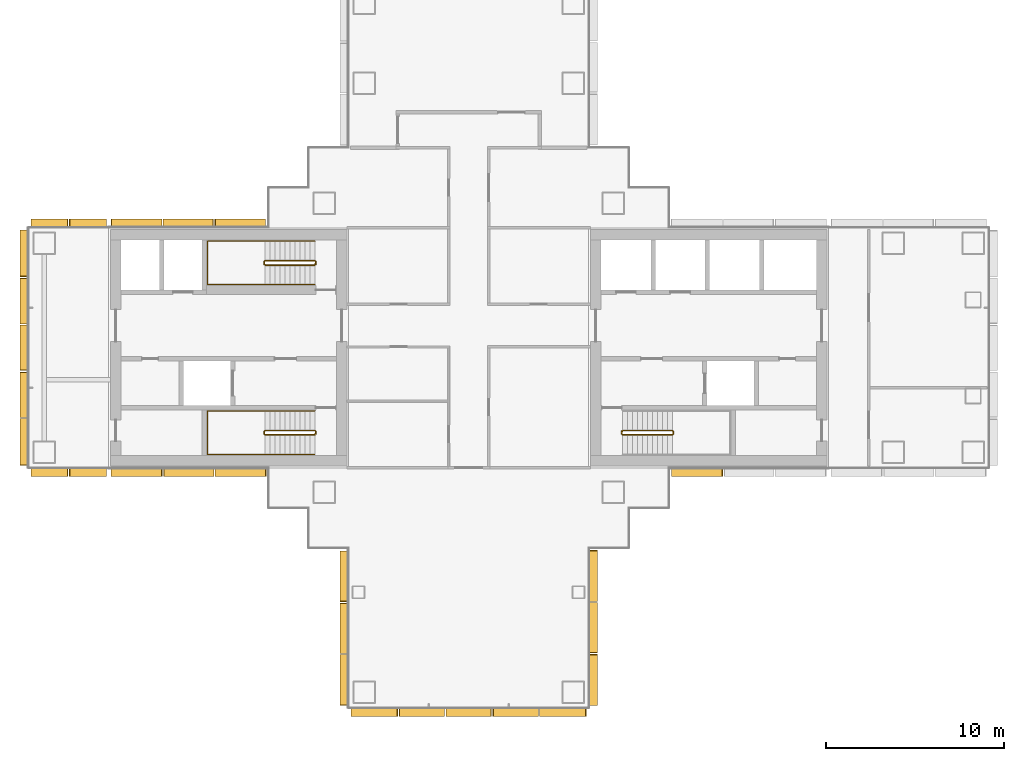
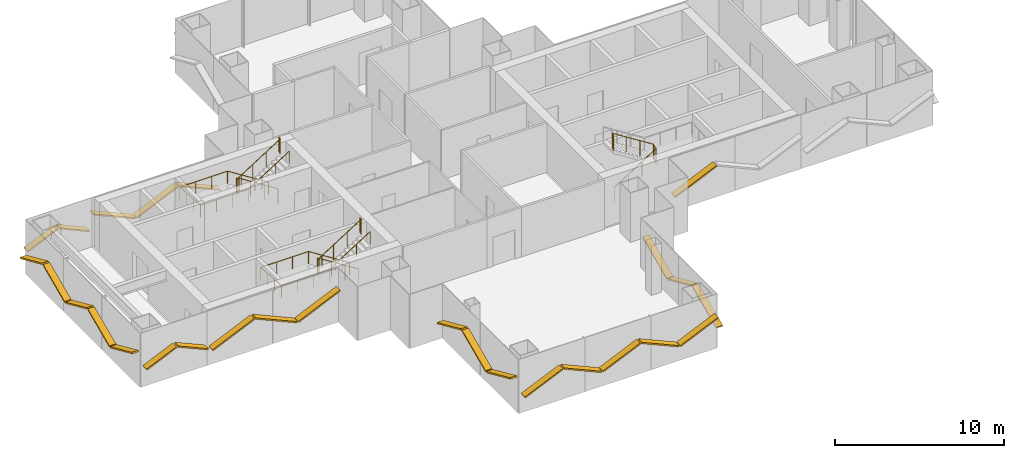
# One storey, part 16 of 19: 27 shading devices, 5 railings.
"""IFC4 building model written with IfcOpenShell, lengths in metres."""

from ifc_helpers import new_model, si_unit, direction, frame, origin, origin_2d, place, context, subcontext, project, spatial, rectangle, circle, extrude, material, material_profile, profile_set, type_object, element, save


model = new_model("IFC4")

# Units and contexts
model_context = context("Model", 3, precision=1e-05, world=origin(), true_north=direction((0.0, 1.0)))
body_context = subcontext(model_context, "Body", "Model", "MODEL_VIEW")
ifc_project = project(units=[si_unit("LENGTHUNIT", "METRE"), si_unit("AREAUNIT", "SQUARE_METRE"), si_unit("VOLUMEUNIT", "CUBIC_METRE"), si_unit("PLANEANGLEUNIT", "RADIAN"), si_unit("MASSUNIT", "GRAM", prefix="KILO")], contexts=[model_context])

# Site, building, storey
site_placement = place(None, origin())
site = spatial("IfcSite", under=ifc_project, at=site_placement, CompositionType="ELEMENT")
building_placement = place(site_placement, origin())
building = spatial("IfcBuilding", under=site, at=building_placement, Name="Shamsa Quay Exchange Towers", CompositionType="ELEMENT")
storey_placement = place(building_placement, frame((0.0, 0.0, 93.60009765625)))
storey = spatial("IfcBuildingStorey", under=building, at=storey_placement, Name="L21", CompositionType="ELEMENT", Elevation=93.60009765625)

# Shading devices
ifc_material_1 = material(Name="Aluminium EN AW-6063 T6, black anodised", Category="aluminium")
ifc_material_profile = material_profile(ifc_material_1, rectangle(XDim=0.449951171875, YDim=0.10009765625, at=origin_2d()), Name="FIN450x100")
ifc_profile_set = profile_set([ifc_material_profile], Name="Aluminium EN AW-6063 T6, black anodised")
shading_device_type = type_object("IfcShadingDeviceType", Name="FIN 450x100 BLACK ALUMINIUM", PredefinedType="USERDEFINED", material=ifc_profile_set)
shading_device_1_placement = place(storey_placement, frame((-40.764892578125, -11.43798828125, 0.96826171875), z_axis=(0.0, -0.913558535862, 0.406707267643), x_axis=(1.0, 0.0, 0.0)))
element("IfcShadingDevice", 1, at=shading_device_1_placement, inside=storey, type_object=shading_device_type, Name="FIN T1 chevron rib", ObjectType="FIN", PredefinedType="USERDEFINED", context=body_context, shape_type="SweptSolid", body=[
    extrude(rectangle(XDim=0.449951171875, YDim=0.10009765625, at=origin_2d()), origin(), (0.0, 0.0, 1.0), 3.10595703125),
])
shading_device_2_placement = place(storey_placement, frame((-40.764892578125, -14.375244140625, 2.220458984375), z_axis=(0.0, -0.913550687431, -0.406724896576), x_axis=(1.0, 0.0, 0.0)))
element("IfcShadingDevice", 2, at=shading_device_2_placement, inside=storey, type_object=shading_device_type, Name="FIN T1 chevron rib", ObjectType="FIN", PredefinedType="USERDEFINED", context=body_context, shape_type="SweptSolid", body=[
    extrude(rectangle(XDim=0.449951171875, YDim=0.10009765625, at=origin_2d()), origin(), (0.0, 0.0, 1.0), 3.051025390625),
])
shading_device_3_placement = place(storey_placement, frame((-40.764892578125, -17.2626953125, 0.96826171875), z_axis=(0.0, -0.913558535862, 0.406707267643), x_axis=(1.0, 0.0, 0.0)))
element("IfcShadingDevice", 3, at=shading_device_3_placement, inside=storey, type_object=shading_device_type, Name="FIN T1 chevron rib", ObjectType="FIN", PredefinedType="USERDEFINED", context=body_context, shape_type="SweptSolid", body=[
    extrude(rectangle(XDim=0.449951171875, YDim=0.10009765625, at=origin_2d()), origin(), (0.0, 0.0, 1.0), 3.10595703125),
])
shading_device_4_placement = place(storey_placement, frame((-40.35009765625, -20.514892578125, 1.0234375), z_axis=(0.91355925163, 0.0, 0.406705659859), x_axis=(0.0, 1.0, 0.0)))
element("IfcShadingDevice", 4, at=shading_device_4_placement, inside=storey, type_object=shading_device_type, Name="FIN T1 chevron rib", ObjectType="FIN", PredefinedType="USERDEFINED", context=body_context, shape_type="SweptSolid", body=[
    extrude(rectangle(XDim=0.449951171875, YDim=0.10009765625, at=origin_2d()), origin(), (0.0, 0.0, 1.0), 2.835205078125),
])
shading_device_5_placement = place(storey_placement, frame((-37.659912109375, -20.514892578125, 2.165283203125), z_axis=(0.913536125794, 0.0, -0.406757602103), x_axis=(0.0, 1.0, 0.0)))
element("IfcShadingDevice", 5, at=shading_device_5_placement, inside=storey, type_object=shading_device_type, Name="FIN T1 chevron rib", ObjectType="FIN", PredefinedType="USERDEFINED", context=body_context, shape_type="SweptSolid", body=[
    extrude(rectangle(XDim=0.449951171875, YDim=0.10009765625, at=origin_2d()), origin(), (0.0, 0.0, 1.0), 2.7802734375),
])
shading_device_6_placement = place(storey_placement, frame((-35.02001953125, -20.514892578125, 1.034423828125), z_axis=(0.913550653139, 0.0, 0.4067249736), x_axis=(0.0, 1.0, 0.0)))
element("IfcShadingDevice", 6, at=shading_device_6_placement, inside=storey, type_object=shading_device_type, Name="FIN T1 chevron rib", ObjectType="FIN", PredefinedType="USERDEFINED", context=body_context, shape_type="SweptSolid", body=[
    extrude(rectangle(XDim=0.449951171875, YDim=0.10009765625, at=origin_2d()), origin(), (0.0, 0.0, 1.0), 2.780517578125),
])
shading_device_7_placement = place(storey_placement, frame((-32.3798828125, -20.514892578125, 2.165283203125), z_axis=(0.913536125794, 0.0, -0.406757602103), x_axis=(0.0, 1.0, 0.0)))
element("IfcShadingDevice", 7, at=shading_device_7_placement, inside=storey, type_object=shading_device_type, Name="FIN T1 chevron rib", ObjectType="FIN", PredefinedType="USERDEFINED", context=body_context, shape_type="SweptSolid", body=[
    extrude(rectangle(XDim=0.449951171875, YDim=0.10009765625, at=origin_2d()), origin(), (0.0, 0.0, 1.0), 2.7802734375),
])
shading_device_8_placement = place(storey_placement, frame((-29.739990234375, -20.514892578125, 1.0234375), z_axis=(0.91355925163, 0.0, 0.406705659859), x_axis=(0.0, 1.0, 0.0)))
element("IfcShadingDevice", 8, at=shading_device_8_placement, inside=storey, type_object=shading_device_type, Name="FIN T1 chevron rib", ObjectType="FIN", PredefinedType="USERDEFINED", context=body_context, shape_type="SweptSolid", body=[
    extrude(rectangle(XDim=0.449951171875, YDim=0.10009765625, at=origin_2d()), origin(), (0.0, 0.0, 1.0), 2.835205078125),
])
shading_device_9_placement = place(storey_placement, frame((-26.735107421875, -20.10009765625, 0.96533203125), z_axis=(0.0, 0.913533816972, 0.406762787444), x_axis=(-1.0, 0.0, 0.0)))
element("IfcShadingDevice", 9, at=shading_device_9_placement, inside=storey, type_object=shading_device_type, Name="FIN T1 chevron rib", ObjectType="FIN", PredefinedType="USERDEFINED", context=body_context, shape_type="SweptSolid", body=[
    extrude(rectangle(XDim=0.449951171875, YDim=0.10009765625, at=origin_2d()), origin(), (0.0, 0.0, 1.0), 3.119873046875),
])
shading_device_10_placement = place(storey_placement, frame((-26.735107421875, -17.14990234375, 2.22314453125), z_axis=(0.0, 0.913541981537, -0.406744450447), x_axis=(-1.0, 0.0, 0.0)))
element("IfcShadingDevice", 10, at=shading_device_10_placement, inside=storey, type_object=shading_device_type, Name="FIN T1 chevron rib", ObjectType="FIN", PredefinedType="USERDEFINED", context=body_context, shape_type="SweptSolid", body=[
    extrude(rectangle(XDim=0.449951171875, YDim=0.10009765625, at=origin_2d()), origin(), (0.0, 0.0, 1.0), 3.064697265625),
])
shading_device_11_placement = place(storey_placement, frame((-26.735107421875, -14.25, 0.96533203125), z_axis=(0.0, 0.913533816972, 0.406762787444), x_axis=(-1.0, 0.0, 0.0)))
element("IfcShadingDevice", 11, at=shading_device_11_placement, inside=storey, type_object=shading_device_type, Name="FIN T1 chevron rib", ObjectType="FIN", PredefinedType="USERDEFINED", context=body_context, shape_type="SweptSolid", body=[
    extrude(rectangle(XDim=0.449951171875, YDim=0.10009765625, at=origin_2d()), origin(), (0.0, 0.0, 1.0), 3.119873046875),
])
for number, where, z_axis, x_axis, name in (
    (12, (-22.31201171875, -7.01904296875, 0.96826171875), (0.913558535862, 0.0, 0.406707267643), (0.0, 1.0, 0.0), "FIN T1 chevron rib"),
    (13, (-45.18798828125, 7.01904296875, 0.96826171875), (-0.913558535862, 0.0, 0.406707267643), (0.0, -1.0, 0.0), "FIN T1 chevron rib"),
):
    element("IfcShadingDevice", number, at=place(storey_placement, frame(where, z_axis=z_axis, x_axis=x_axis)), inside=storey, type_object=shading_device_type, Name=name, ObjectType="FIN", PredefinedType="USERDEFINED", context=body_context, shape_type="SweptSolid", body=[
        extrude(rectangle(XDim=0.449951171875, YDim=0.10009765625, at=origin_2d()), origin(), (0.0, 0.0, 1.0), 3.10595703125),
    ])
shading_device_12_placement = place(storey_placement, frame((-48.125244140625, 7.01904296875, 2.220458984375), z_axis=(-0.913550687431, 0.0, -0.406724896576), x_axis=(0.0, -1.0, 0.0)))
element("IfcShadingDevice", 14, at=shading_device_12_placement, inside=storey, type_object=shading_device_type, Name="FIN T1 chevron rib", ObjectType="FIN", PredefinedType="USERDEFINED", context=body_context, shape_type="SweptSolid", body=[
    extrude(rectangle(XDim=0.449951171875, YDim=0.10009765625, at=origin_2d()), origin(), (0.0, 0.0, 1.0), 3.051025390625),
])
shading_device_13_placement = place(storey_placement, frame((-51.0126953125, 7.01904296875, 0.96826171875), z_axis=(-0.913558535862, 0.0, 0.406707267643), x_axis=(0.0, -1.0, 0.0)))
element("IfcShadingDevice", 15, at=shading_device_13_placement, inside=storey, type_object=shading_device_type, Name="FIN T1 chevron rib", ObjectType="FIN", PredefinedType="USERDEFINED", context=body_context, shape_type="SweptSolid", body=[
    extrude(rectangle(XDim=0.449951171875, YDim=0.10009765625, at=origin_2d()), origin(), (0.0, 0.0, 1.0), 3.10595703125),
])
for number, where, z_axis, x_axis, name in (
    (16, (-54.14990234375, 7.014892578125, 1.1435546875), (-0.913569116241, 0.0, 0.406683500835), (0.0, -1.0, 0.0), "FIN T1 chevron rib"),
    (17, (-56.300048828125, 7.014892578125, 2.05615234375), (-0.913569116241, 0.0, -0.406683500835), (0.0, -1.0, 0.0), "FIN T1 chevron rib"),
):
    element("IfcShadingDevice", number, at=place(storey_placement, frame(where, z_axis=z_axis, x_axis=x_axis)), inside=storey, type_object=shading_device_type, Name=name, ObjectType="FIN", PredefinedType="USERDEFINED", context=body_context, shape_type="SweptSolid", body=[
        extrude(rectangle(XDim=0.449951171875, YDim=0.10009765625, at=origin_2d()), origin(), (0.0, 0.0, 1.0), 2.243896484375),
    ])
shading_device_14_placement = place(storey_placement, frame((-58.764892578125, 6.60009765625, 1.0234375), z_axis=(0.0, -0.91355925163, 0.406705659859), x_axis=(1.0, 0.0, 0.0)))
element("IfcShadingDevice", 18, at=shading_device_14_placement, inside=storey, type_object=shading_device_type, Name="FIN T1 chevron rib", ObjectType="FIN", PredefinedType="USERDEFINED", context=body_context, shape_type="SweptSolid", body=[
    extrude(rectangle(XDim=0.449951171875, YDim=0.10009765625, at=origin_2d()), origin(), (0.0, 0.0, 1.0), 2.835205078125),
])
shading_device_15_placement = place(storey_placement, frame((-58.764892578125, 3.909912109375, 2.165283203125), z_axis=(0.0, -0.913536125794, -0.406757602103), x_axis=(1.0, 0.0, 0.0)))
element("IfcShadingDevice", 19, at=shading_device_15_placement, inside=storey, type_object=shading_device_type, Name="FIN T1 chevron rib", ObjectType="FIN", PredefinedType="USERDEFINED", context=body_context, shape_type="SweptSolid", body=[
    extrude(rectangle(XDim=0.449951171875, YDim=0.10009765625, at=origin_2d()), origin(), (0.0, 0.0, 1.0), 2.7802734375),
])
shading_device_16_placement = place(storey_placement, frame((-58.764892578125, 1.27001953125, 1.034423828125), z_axis=(0.0, -0.913550653139, 0.4067249736), x_axis=(1.0, 0.0, 0.0)))
element("IfcShadingDevice", 20, at=shading_device_16_placement, inside=storey, type_object=shading_device_type, Name="FIN T1 chevron rib", ObjectType="FIN", PredefinedType="USERDEFINED", context=body_context, shape_type="SweptSolid", body=[
    extrude(rectangle(XDim=0.449951171875, YDim=0.10009765625, at=origin_2d()), origin(), (0.0, 0.0, 1.0), 2.780517578125),
])
shading_device_17_placement = place(storey_placement, frame((-58.764892578125, -1.3701171875, 2.165283203125), z_axis=(0.0, -0.913536125794, -0.406757602103), x_axis=(1.0, 0.0, 0.0)))
element("IfcShadingDevice", 21, at=shading_device_17_placement, inside=storey, type_object=shading_device_type, Name="FIN T1 chevron rib", ObjectType="FIN", PredefinedType="USERDEFINED", context=body_context, shape_type="SweptSolid", body=[
    extrude(rectangle(XDim=0.449951171875, YDim=0.10009765625, at=origin_2d()), origin(), (0.0, 0.0, 1.0), 2.7802734375),
])
shading_device_18_placement = place(storey_placement, frame((-58.764892578125, -4.010009765625, 1.0234375), z_axis=(0.0, -0.91355925163, 0.406705659859), x_axis=(1.0, 0.0, 0.0)))
element("IfcShadingDevice", 22, at=shading_device_18_placement, inside=storey, type_object=shading_device_type, Name="FIN T1 chevron rib", ObjectType="FIN", PredefinedType="USERDEFINED", context=body_context, shape_type="SweptSolid", body=[
    extrude(rectangle(XDim=0.449951171875, YDim=0.10009765625, at=origin_2d()), origin(), (0.0, 0.0, 1.0), 2.835205078125),
])
for number, where, z_axis, x_axis, name in (
    (23, (-58.35009765625, -7.014892578125, 1.1435546875), (0.913569116241, 0.0, 0.406683500835), (0.0, 1.0, 0.0), "FIN T1 chevron rib"),
    (24, (-56.199951171875, -7.014892578125, 2.05615234375), (0.913569116241, 0.0, -0.406683500835), (0.0, 1.0, 0.0), "FIN T1 chevron rib"),
):
    element("IfcShadingDevice", number, at=place(storey_placement, frame(where, z_axis=z_axis, x_axis=x_axis)), inside=storey, type_object=shading_device_type, Name=name, ObjectType="FIN", PredefinedType="USERDEFINED", context=body_context, shape_type="SweptSolid", body=[
        extrude(rectangle(XDim=0.449951171875, YDim=0.10009765625, at=origin_2d()), origin(), (0.0, 0.0, 1.0), 2.243896484375),
    ])
shading_device_19_placement = place(storey_placement, frame((-53.85009765625, -7.01904296875, 0.96533203125), z_axis=(0.913533816972, 0.0, 0.406762787444), x_axis=(0.0, 1.0, 0.0)))
element("IfcShadingDevice", 25, at=shading_device_19_placement, inside=storey, type_object=shading_device_type, Name="FIN T1 chevron rib", ObjectType="FIN", PredefinedType="USERDEFINED", context=body_context, shape_type="SweptSolid", body=[
    extrude(rectangle(XDim=0.449951171875, YDim=0.10009765625, at=origin_2d()), origin(), (0.0, 0.0, 1.0), 3.119873046875),
])
shading_device_20_placement = place(storey_placement, frame((-50.89990234375, -7.01904296875, 2.22314453125), z_axis=(0.913541981537, 0.0, -0.406744450447), x_axis=(0.0, 1.0, 0.0)))
element("IfcShadingDevice", 26, at=shading_device_20_placement, inside=storey, type_object=shading_device_type, Name="FIN T1 chevron rib", ObjectType="FIN", PredefinedType="USERDEFINED", context=body_context, shape_type="SweptSolid", body=[
    extrude(rectangle(XDim=0.449951171875, YDim=0.10009765625, at=origin_2d()), origin(), (0.0, 0.0, 1.0), 3.064697265625),
])
shading_device_21_placement = place(storey_placement, frame((-48.0, -7.01904296875, 0.96533203125), z_axis=(0.913533816972, 0.0, 0.406762787444), x_axis=(0.0, 1.0, 0.0)))
element("IfcShadingDevice", 27, at=shading_device_21_placement, inside=storey, type_object=shading_device_type, Name="FIN T1 chevron rib", ObjectType="FIN", PredefinedType="USERDEFINED", context=body_context, shape_type="SweptSolid", body=[
    extrude(rectangle(XDim=0.449951171875, YDim=0.10009765625, at=origin_2d()), origin(), (0.0, 0.0, 1.0), 3.119873046875),
])

# Railings
ifc_material_2 = material(Name="Stainless steel", Category="steel")
railing_type_1 = type_object("IfcRailingType", Name="STAIR GUARD 1100", PredefinedType="GUARDRAIL", material=ifc_material_2)
railing_1_placement = place(storey_placement, frame((-25.10009765625, -4.89990234375, 0.17724609375)))
element("IfcRailing", 28, at=railing_1_placement, inside=storey, type_object=railing_type_1, Name="L21 ST1 stair guard 1", PredefinedType="GUARDRAIL", context=body_context, shape_type="SweptSolid", body=[
    extrude(circle(Radius=0.02392578125, at=origin_2d()), frame((0.0, 0.0, 1.076171875), z_axis=(0.844908973607, 0.0, 0.534910110503), x_axis=(0.0, 1.0, 0.0)), (0.0, 0.0, 1.0), 3.31396484375),
    extrude(circle(Radius=0.02392578125, at=origin_2d()), frame((2.800048828125, 0.0, 2.8486328125), z_axis=(0.708833529934, 0.705375805398, 0.0), x_axis=(-0.705375805398, 0.708833529934, 0.0)), (0.0, 0.0, 1.0), 0.070556640625),
    extrude(circle(Radius=0.02392578125, at=origin_2d()), frame((2.85009765625, 0.0498046875, 2.8486328125), z_axis=(0.0, 1.0, 0.0), x_axis=(-1.0, 0.0, 0.0)), (0.0, 0.0, 1.0), 0.150146484375),
    extrude(circle(Radius=0.02392578125, at=origin_2d()), frame((2.85009765625, 0.199951171875, 2.8486328125), z_axis=(-0.262233686654, 0.262233686654, 0.928691007369), x_axis=(-0.707106781187, -0.707106781187, 0.0)), (0.0, 0.0, 1.0), 0.19091796875),
    extrude(circle(Radius=0.02392578125, at=origin_2d()), frame((2.800048828125, 0.25, 3.02587890625), z_axis=(-0.844908973607, 0.0, 0.534910110503), x_axis=(0.0, -1.0, 0.0)), (0.0, 0.0, 1.0), 3.31396484375),
    extrude(circle(Radius=0.02392578125, at=origin_2d()), frame((0.0, 0.25, 4.798828125), z_axis=(-0.24142163986, -0.970420317083, 0.0), x_axis=(0.970420317083, -0.24142163986, 0.0)), (0.0, 0.0, 1.0), 0.206298828125),
    extrude(circle(Radius=0.02392578125, at=origin_2d()), frame((-0.0498046875, 0.0498046875, 4.798828125), z_axis=(0.0, 1.0, 0.0), x_axis=(-1.0, 0.0, 0.0)), (0.0, 0.0, 1.0), 0.150146484375),
    extrude(circle(Radius=0.02099609375, at=origin_2d()), origin(), (0.0, 0.0, 1.0), 1.052001953125),
    extrude(circle(Radius=0.02099609375, at=origin_2d()), frame((0.933349609375, 0.0, 0.5908203125)), (0.0, 0.0, 1.0), 1.052001953125),
    extrude(circle(Radius=0.02099609375, at=origin_2d()), frame((1.86669921875, 0.0, 1.181884765625)), (0.0, 0.0, 1.0), 1.052001953125),
    extrude(circle(Radius=0.02099609375, at=origin_2d()), frame((2.800048828125, 0.0, 1.772705078125)), (0.0, 0.0, 1.0), 1.052001953125),
    extrude(circle(Radius=0.02099609375, at=origin_2d()), frame((2.85009765625, 0.0498046875, 1.772705078125)), (0.0, 0.0, 1.0), 1.052001953125),
    extrude(circle(Radius=0.02099609375, at=origin_2d()), frame((2.85009765625, 0.199951171875, 1.772705078125)), (0.0, 0.0, 1.0), 1.052001953125),
    extrude(circle(Radius=0.02099609375, at=origin_2d()), frame((2.800048828125, 0.25, 1.949951171875)), (0.0, 0.0, 1.0), 1.052001953125),
    extrude(circle(Radius=0.02099609375, at=origin_2d()), frame((1.86669921875, 0.25, 2.540771484375)), (0.0, 0.0, 1.0), 1.052001953125),
    extrude(circle(Radius=0.02099609375, at=origin_2d()), frame((0.933349609375, 0.25, 3.1318359375)), (0.0, 0.0, 1.0), 1.052001953125),
    extrude(circle(Radius=0.02099609375, at=origin_2d()), frame((0.0, 0.25, 3.72265625)), (0.0, 0.0, 1.0), 1.052001953125),
    extrude(circle(Radius=0.02099609375, at=origin_2d()), frame((-0.0498046875, 0.0498046875, 3.72265625)), (0.0, 0.0, 1.0), 1.052001953125),
    extrude(circle(Radius=0.02099609375, at=origin_2d()), frame((-0.0498046875, 0.199951171875, 3.72265625)), (0.0, 0.0, 1.0), 1.052001953125),
])
railing_2_placement = place(storey_placement, frame((-42.39990234375, -4.64990234375, 0.17724609375)))
element("IfcRailing", 29, at=railing_2_placement, inside=storey, type_object=railing_type_1, Name="L21 ST2 stair guard 1", PredefinedType="GUARDRAIL", context=body_context, shape_type="SweptSolid", body=[
    extrude(circle(Radius=0.02392578125, at=origin_2d()), frame((0.0, 0.0, 1.076171875), z_axis=(-0.844908973607, 0.0, 0.534910110503), x_axis=(0.0, -1.0, 0.0)), (0.0, 0.0, 1.0), 3.31396484375),
    extrude(circle(Radius=0.02392578125, at=origin_2d()), frame((-2.800048828125, 0.0, 2.8486328125), z_axis=(-0.707106781187, -0.707106781187, 0.0), x_axis=(0.707106781187, -0.707106781187, 0.0)), (0.0, 0.0, 1.0), 0.07080078125),
    extrude(circle(Radius=0.02392578125, at=origin_2d()), frame((-2.85009765625, -0.050048828125, 2.8486328125), z_axis=(0.0, -1.0, 0.0), x_axis=(1.0, 0.0, 0.0)), (0.0, 0.0, 1.0), 0.150146484375),
    extrude(circle(Radius=0.02392578125, at=origin_2d()), frame((-2.85009765625, -0.2001953125, 2.8486328125), z_axis=(0.262321481514, -0.261041864531, 0.929001929653), x_axis=(0.705375805398, 0.708833529934, 0.0)), (0.0, 0.0, 1.0), 0.190673828125),
    extrude(circle(Radius=0.02392578125, at=origin_2d()), frame((-2.800048828125, -0.25, 3.02587890625), z_axis=(0.844908973607, 0.0, 0.534910110503), x_axis=(0.0, 1.0, 0.0)), (0.0, 0.0, 1.0), 3.31396484375),
    extrude(circle(Radius=0.02392578125, at=origin_2d()), frame((0.0, -0.25, 4.798828125), z_axis=(0.241699205484, 0.970351222016, 0.0), x_axis=(-0.970351222016, 0.241699205484, 0.0)), (0.0, 0.0, 1.0), 0.2060546875),
    extrude(circle(Radius=0.02392578125, at=origin_2d()), frame((0.0498046875, -0.050048828125, 4.798828125), z_axis=(0.0, -1.0, 0.0), x_axis=(1.0, 0.0, 0.0)), (0.0, 0.0, 1.0), 0.150146484375),
    extrude(circle(Radius=0.02099609375, at=origin_2d()), origin(), (0.0, 0.0, 1.0), 1.052001953125),
    extrude(circle(Radius=0.02099609375, at=origin_2d()), frame((-0.933349609375, 0.0, 0.5908203125)), (0.0, 0.0, 1.0), 1.052001953125),
    extrude(circle(Radius=0.02099609375, at=origin_2d()), frame((-1.86669921875, 0.0, 1.181884765625)), (0.0, 0.0, 1.0), 1.052001953125),
    extrude(circle(Radius=0.02099609375, at=origin_2d()), frame((-2.800048828125, 0.0, 1.772705078125)), (0.0, 0.0, 1.0), 1.052001953125),
    extrude(circle(Radius=0.02099609375, at=origin_2d()), frame((-2.85009765625, -0.050048828125, 1.772705078125)), (0.0, 0.0, 1.0), 1.052001953125),
    extrude(circle(Radius=0.02099609375, at=origin_2d()), frame((-2.85009765625, -0.2001953125, 1.772705078125)), (0.0, 0.0, 1.0), 1.052001953125),
    extrude(circle(Radius=0.02099609375, at=origin_2d()), frame((-2.800048828125, -0.25, 1.949951171875)), (0.0, 0.0, 1.0), 1.052001953125),
    extrude(circle(Radius=0.02099609375, at=origin_2d()), frame((-1.86669921875, -0.25, 2.540771484375)), (0.0, 0.0, 1.0), 1.052001953125),
    extrude(circle(Radius=0.02099609375, at=origin_2d()), frame((-0.933349609375, -0.25, 3.1318359375)), (0.0, 0.0, 1.0), 1.052001953125),
    extrude(circle(Radius=0.02099609375, at=origin_2d()), frame((0.0, -0.25, 3.72265625)), (0.0, 0.0, 1.0), 1.052001953125),
    extrude(circle(Radius=0.02099609375, at=origin_2d()), frame((0.0498046875, -0.050048828125, 3.72265625)), (0.0, 0.0, 1.0), 1.052001953125),
    extrude(circle(Radius=0.02099609375, at=origin_2d()), frame((0.0498046875, -0.2001953125, 3.72265625)), (0.0, 0.0, 1.0), 1.052001953125),
])
railing_3_placement = place(storey_placement, frame((-42.39990234375, 4.89990234375, 0.17724609375)))
element("IfcRailing", 30, at=railing_3_placement, inside=storey, type_object=railing_type_1, Name="L21 ST3 stair guard 1", PredefinedType="GUARDRAIL", context=body_context, shape_type="SweptSolid", body=[
    extrude(circle(Radius=0.02392578125, at=origin_2d()), frame((0.0, 0.0, 1.076171875), z_axis=(-0.844908973607, 0.0, 0.534910110503), x_axis=(0.0, -1.0, 0.0)), (0.0, 0.0, 1.0), 3.31396484375),
    extrude(circle(Radius=0.02392578125, at=origin_2d()), frame((-2.800048828125, 0.0, 2.8486328125), z_axis=(-0.708833529934, -0.705375805398, 0.0), x_axis=(0.705375805398, -0.708833529934, 0.0)), (0.0, 0.0, 1.0), 0.070556640625),
    extrude(circle(Radius=0.02392578125, at=origin_2d()), frame((-2.85009765625, -0.0498046875, 2.8486328125), z_axis=(0.0, -1.0, 0.0), x_axis=(1.0, 0.0, 0.0)), (0.0, 0.0, 1.0), 0.150146484375),
    extrude(circle(Radius=0.02392578125, at=origin_2d()), frame((-2.85009765625, -0.199951171875, 2.8486328125), z_axis=(0.262233686654, -0.262233686654, 0.928691007369), x_axis=(0.707106781187, 0.707106781187, 0.0)), (0.0, 0.0, 1.0), 0.19091796875),
    extrude(circle(Radius=0.02392578125, at=origin_2d()), frame((-2.800048828125, -0.25, 3.02587890625), z_axis=(0.844908973607, 0.0, 0.534910110503), x_axis=(0.0, 1.0, 0.0)), (0.0, 0.0, 1.0), 3.31396484375),
    extrude(circle(Radius=0.02392578125, at=origin_2d()), frame((0.0, -0.25, 4.798828125), z_axis=(0.24142163986, 0.970420317083, 0.0), x_axis=(-0.970420317083, 0.24142163986, 0.0)), (0.0, 0.0, 1.0), 0.206298828125),
    extrude(circle(Radius=0.02392578125, at=origin_2d()), frame((0.0498046875, -0.0498046875, 4.798828125), z_axis=(0.0, -1.0, 0.0), x_axis=(1.0, 0.0, 0.0)), (0.0, 0.0, 1.0), 0.150146484375),
    extrude(circle(Radius=0.02099609375, at=origin_2d()), origin(), (0.0, 0.0, 1.0), 1.052001953125),
    extrude(circle(Radius=0.02099609375, at=origin_2d()), frame((-0.933349609375, 0.0, 0.5908203125)), (0.0, 0.0, 1.0), 1.052001953125),
    extrude(circle(Radius=0.02099609375, at=origin_2d()), frame((-1.86669921875, 0.0, 1.181884765625)), (0.0, 0.0, 1.0), 1.052001953125),
    extrude(circle(Radius=0.02099609375, at=origin_2d()), frame((-2.800048828125, 0.0, 1.772705078125)), (0.0, 0.0, 1.0), 1.052001953125),
    extrude(circle(Radius=0.02099609375, at=origin_2d()), frame((-2.85009765625, -0.0498046875, 1.772705078125)), (0.0, 0.0, 1.0), 1.052001953125),
    extrude(circle(Radius=0.02099609375, at=origin_2d()), frame((-2.85009765625, -0.199951171875, 1.772705078125)), (0.0, 0.0, 1.0), 1.052001953125),
    extrude(circle(Radius=0.02099609375, at=origin_2d()), frame((-2.800048828125, -0.25, 1.949951171875)), (0.0, 0.0, 1.0), 1.052001953125),
    extrude(circle(Radius=0.02099609375, at=origin_2d()), frame((-1.86669921875, -0.25, 2.540771484375)), (0.0, 0.0, 1.0), 1.052001953125),
    extrude(circle(Radius=0.02099609375, at=origin_2d()), frame((-0.933349609375, -0.25, 3.1318359375)), (0.0, 0.0, 1.0), 1.052001953125),
    extrude(circle(Radius=0.02099609375, at=origin_2d()), frame((0.0, -0.25, 3.72265625)), (0.0, 0.0, 1.0), 1.052001953125),
    extrude(circle(Radius=0.02099609375, at=origin_2d()), frame((0.0498046875, -0.0498046875, 3.72265625)), (0.0, 0.0, 1.0), 1.052001953125),
    extrude(circle(Radius=0.02099609375, at=origin_2d()), frame((0.0498046875, -0.199951171875, 3.72265625)), (0.0, 0.0, 1.0), 1.052001953125),
])
railing_type_2 = type_object("IfcRailingType", Name="STAIR HANDRAIL 900", PredefinedType="HANDRAIL", material=ifc_material_2)
railing_4_placement = place(storey_placement, frame((-42.39990234375, -3.550048828125, 0.17724609375)))
element("IfcRailing", 31, at=railing_4_placement, inside=storey, type_object=railing_type_2, Name="L21 ST2 stair handrail 1", PredefinedType="HANDRAIL", context=body_context, shape_type="SweptSolid", body=[
    extrude(circle(Radius=0.02392578125, at=origin_2d()), frame((0.0, 0.0, 0.8759765625), z_axis=(-0.844908973607, 0.0, 0.534910110503), x_axis=(0.0, -1.0, 0.0)), (0.0, 0.0, 1.0), 3.31396484375),
    extrude(circle(Radius=0.02392578125, at=origin_2d()), frame((-2.800048828125, 0.0, 2.6484375), z_axis=(-1.0, 0.0, 0.0), x_axis=(0.0, -1.0, 0.0)), (0.0, 0.0, 1.0), 3.25),
    extrude(circle(Radius=0.02392578125, at=origin_2d()), frame((-6.050048828125, 0.0, 2.6484375), z_axis=(0.0, -0.997393199914, 0.07215819264), x_axis=(1.0, 0.0, 0.0)), (0.0, 0.0, 1.0), 2.456298828125),
    extrude(circle(Radius=0.02392578125, at=origin_2d()), frame((-6.050048828125, -2.449951171875, 2.82568359375), z_axis=(1.0, 0.0, 0.0), x_axis=(0.0, 1.0, 0.0)), (0.0, 0.0, 1.0), 3.25),
    extrude(circle(Radius=0.02392578125, at=origin_2d()), frame((-2.800048828125, -2.449951171875, 2.82568359375), z_axis=(0.844908973607, 0.0, 0.534910110503), x_axis=(0.0, 1.0, 0.0)), (0.0, 0.0, 1.0), 3.31396484375),
    extrude(circle(Radius=0.02099609375, at=origin_2d()), origin(), (0.0, 0.0, 1.0), 0.851806640625),
    extrude(circle(Radius=0.02099609375, at=origin_2d()), frame((-0.933349609375, 0.0, 0.5908203125)), (0.0, 0.0, 1.0), 0.851806640625),
    extrude(circle(Radius=0.02099609375, at=origin_2d()), frame((-1.86669921875, 0.0, 1.181884765625)), (0.0, 0.0, 1.0), 0.851806640625),
    extrude(circle(Radius=0.02099609375, at=origin_2d()), frame((-2.800048828125, 0.0, 1.772705078125)), (0.0, 0.0, 1.0), 0.851806640625),
    extrude(circle(Radius=0.02099609375, at=origin_2d()), frame((-3.88330078125, 0.0, 1.772705078125)), (0.0, 0.0, 1.0), 0.851806640625),
    extrude(circle(Radius=0.02099609375, at=origin_2d()), frame((-4.966796875, 0.0, 1.772705078125)), (0.0, 0.0, 1.0), 0.851806640625),
    extrude(circle(Radius=0.02099609375, at=origin_2d()), frame((-6.050048828125, 0.0, 1.772705078125)), (0.0, 0.0, 1.0), 0.851806640625),
    extrude(circle(Radius=0.02099609375, at=origin_2d()), frame((-6.050048828125, -0.816650390625, 1.831787109375)), (0.0, 0.0, 1.0), 0.851806640625),
    extrude(circle(Radius=0.02099609375, at=origin_2d()), frame((-6.050048828125, -1.63330078125, 1.890869140625)), (0.0, 0.0, 1.0), 0.851806640625),
    extrude(circle(Radius=0.02099609375, at=origin_2d()), frame((-6.050048828125, -2.449951171875, 1.949951171875)), (0.0, 0.0, 1.0), 0.851806640625),
    extrude(circle(Radius=0.02099609375, at=origin_2d()), frame((-4.966796875, -2.449951171875, 1.949951171875)), (0.0, 0.0, 1.0), 0.851806640625),
    extrude(circle(Radius=0.02099609375, at=origin_2d()), frame((-3.88330078125, -2.449951171875, 1.949951171875)), (0.0, 0.0, 1.0), 0.851806640625),
    extrude(circle(Radius=0.02099609375, at=origin_2d()), frame((-2.800048828125, -2.449951171875, 1.949951171875)), (0.0, 0.0, 1.0), 0.851806640625),
    extrude(circle(Radius=0.02099609375, at=origin_2d()), frame((-1.86669921875, -2.449951171875, 2.540771484375)), (0.0, 0.0, 1.0), 0.851806640625),
    extrude(circle(Radius=0.02099609375, at=origin_2d()), frame((-0.933349609375, -2.449951171875, 3.1318359375)), (0.0, 0.0, 1.0), 0.851806640625),
    extrude(circle(Radius=0.02099609375, at=origin_2d()), frame((0.0, -2.449951171875, 3.72265625)), (0.0, 0.0, 1.0), 0.851806640625),
])
railing_5_placement = place(storey_placement, frame((-42.39990234375, 6.0, 0.17724609375)))
element("IfcRailing", 32, at=railing_5_placement, inside=storey, type_object=railing_type_2, Name="L21 ST3 stair handrail 1", PredefinedType="HANDRAIL", context=body_context, shape_type="SweptSolid", body=[
    extrude(circle(Radius=0.02392578125, at=origin_2d()), frame((0.0, 0.0, 0.8759765625), z_axis=(-0.844908973607, 0.0, 0.534910110503), x_axis=(0.0, -1.0, 0.0)), (0.0, 0.0, 1.0), 3.31396484375),
    extrude(circle(Radius=0.02392578125, at=origin_2d()), frame((-2.800048828125, 0.0, 2.6484375), z_axis=(-1.0, 0.0, 0.0), x_axis=(0.0, -1.0, 0.0)), (0.0, 0.0, 1.0), 3.25),
    extrude(circle(Radius=0.02392578125, at=origin_2d()), frame((-6.050048828125, 0.0, 2.6484375), z_axis=(0.0, -0.997393199914, 0.07215819264), x_axis=(1.0, 0.0, 0.0)), (0.0, 0.0, 1.0), 2.456298828125),
    extrude(circle(Radius=0.02392578125, at=origin_2d()), frame((-6.050048828125, -2.449951171875, 2.82568359375), z_axis=(1.0, 0.0, 0.0), x_axis=(0.0, 1.0, 0.0)), (0.0, 0.0, 1.0), 3.25),
    extrude(circle(Radius=0.02392578125, at=origin_2d()), frame((-2.800048828125, -2.449951171875, 2.82568359375), z_axis=(0.844908973607, 0.0, 0.534910110503), x_axis=(0.0, 1.0, 0.0)), (0.0, 0.0, 1.0), 3.31396484375),
    extrude(circle(Radius=0.02099609375, at=origin_2d()), origin(), (0.0, 0.0, 1.0), 0.851806640625),
    extrude(circle(Radius=0.02099609375, at=origin_2d()), frame((-0.933349609375, 0.0, 0.5908203125)), (0.0, 0.0, 1.0), 0.851806640625),
    extrude(circle(Radius=0.02099609375, at=origin_2d()), frame((-1.86669921875, 0.0, 1.181884765625)), (0.0, 0.0, 1.0), 0.851806640625),
    extrude(circle(Radius=0.02099609375, at=origin_2d()), frame((-2.800048828125, 0.0, 1.772705078125)), (0.0, 0.0, 1.0), 0.851806640625),
    extrude(circle(Radius=0.02099609375, at=origin_2d()), frame((-3.88330078125, 0.0, 1.772705078125)), (0.0, 0.0, 1.0), 0.851806640625),
    extrude(circle(Radius=0.02099609375, at=origin_2d()), frame((-4.966796875, 0.0, 1.772705078125)), (0.0, 0.0, 1.0), 0.851806640625),
    extrude(circle(Radius=0.02099609375, at=origin_2d()), frame((-6.050048828125, 0.0, 1.772705078125)), (0.0, 0.0, 1.0), 0.851806640625),
    extrude(circle(Radius=0.02099609375, at=origin_2d()), frame((-6.050048828125, -0.816650390625, 1.831787109375)), (0.0, 0.0, 1.0), 0.851806640625),
    extrude(circle(Radius=0.02099609375, at=origin_2d()), frame((-6.050048828125, -1.63330078125, 1.890869140625)), (0.0, 0.0, 1.0), 0.851806640625),
    extrude(circle(Radius=0.02099609375, at=origin_2d()), frame((-6.050048828125, -2.449951171875, 1.949951171875)), (0.0, 0.0, 1.0), 0.851806640625),
    extrude(circle(Radius=0.02099609375, at=origin_2d()), frame((-4.966796875, -2.449951171875, 1.949951171875)), (0.0, 0.0, 1.0), 0.851806640625),
    extrude(circle(Radius=0.02099609375, at=origin_2d()), frame((-3.88330078125, -2.449951171875, 1.949951171875)), (0.0, 0.0, 1.0), 0.851806640625),
    extrude(circle(Radius=0.02099609375, at=origin_2d()), frame((-2.800048828125, -2.449951171875, 1.949951171875)), (0.0, 0.0, 1.0), 0.851806640625),
    extrude(circle(Radius=0.02099609375, at=origin_2d()), frame((-1.86669921875, -2.449951171875, 2.540771484375)), (0.0, 0.0, 1.0), 0.851806640625),
    extrude(circle(Radius=0.02099609375, at=origin_2d()), frame((-0.933349609375, -2.449951171875, 3.1318359375)), (0.0, 0.0, 1.0), 0.851806640625),
    extrude(circle(Radius=0.02099609375, at=origin_2d()), frame((0.0, -2.449951171875, 3.72265625)), (0.0, 0.0, 1.0), 0.851806640625),
])

save(model, "model.ifc")
